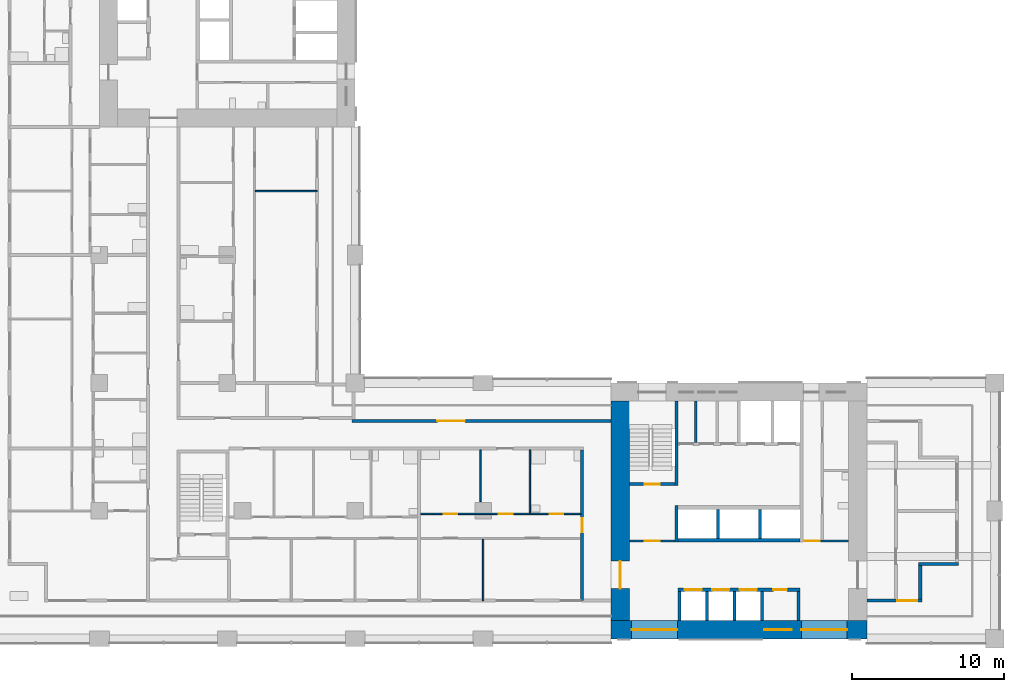
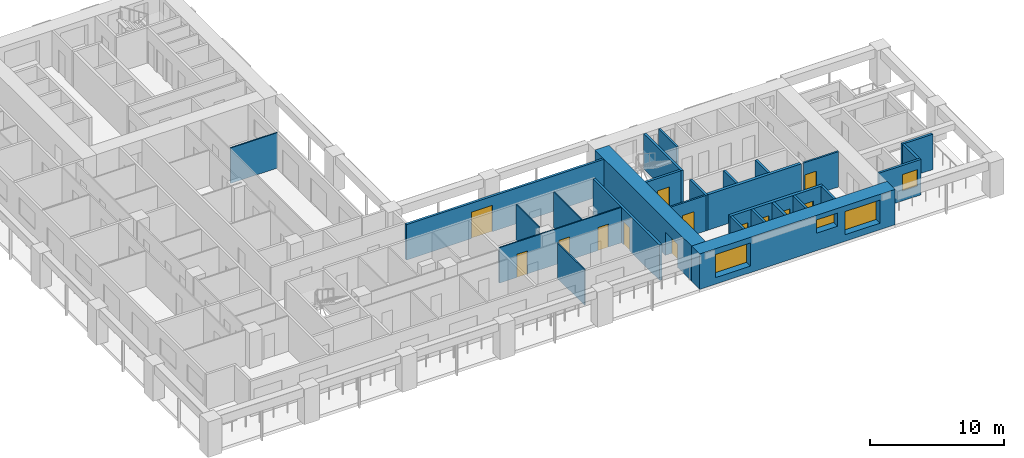
# One storey, part 5 of 17: 27 walls, 13 doors, 4 windows, 17 openings.
"""IFC4 building model written with IfcOpenShell, lengths in metres."""

from ifc_helpers import new_model, si_unit, direction, frame, frame_2d, origin, place, context, subcontext, project, spatial, rectangle, extrude, material, layer, layer_set, type_object, element, fill, save


model = new_model("IFC4")

# Units and contexts
model_context = context("Model", 3, precision=1e-05, world=origin(), true_north=direction((0.0, 1.0)))
body_context = subcontext(model_context, "Body", "Model", "MODEL_VIEW")
ifc_project = project(units=[si_unit("LENGTHUNIT", "METRE"), si_unit("AREAUNIT", "SQUARE_METRE"), si_unit("VOLUMEUNIT", "CUBIC_METRE"), si_unit("PLANEANGLEUNIT", "RADIAN"), si_unit("MASSUNIT", "GRAM", prefix="KILO")], contexts=[model_context])

# Site, building, storey
site_placement = place(None, origin())
site = spatial("IfcSite", under=ifc_project, at=site_placement, CompositionType="ELEMENT")
building_placement = place(site_placement, origin())
building = spatial("IfcBuilding", under=site, at=building_placement, Name="Vermilion Gate Residences", CompositionType="ELEMENT")
storey_placement = place(building_placement, frame((0.0, 0.0, 112.699951171875)))
storey = spatial("IfcBuildingStorey", under=building, at=storey_placement, Name="L28", CompositionType="ELEMENT", Elevation=112.699951171875)

# Wall
ifc_material_1 = material(Name="Masonry blockwork", Category="masonry")
ifc_layer_1 = layer(ifc_material_1, 0.14990234375)
ifc_layer_set_1 = layer_set([ifc_layer_1], Name="BLOCKWORK PARTITION 150 EI 120")
wall_type_1 = type_object("IfcWallType", Name="BLOCKWORK PARTITION 150 EI 120", PredefinedType="PARTITIONING", material=ifc_layer_set_1)
wall_1_placement = place(storey_placement, frame((47.554931640625, 21.300048828125, 0.0), z_axis=(0.0, 0.0, 1.0), x_axis=(0.0, 1.0, 0.0)))
element("IfcWall", 1, at=wall_1_placement, inside=storey, type_object=wall_type_1, Name="Core room partition A28-NR-P0", PredefinedType="PARTITIONING", context=body_context, shape_type="SweptSolid", body=[
    extrude(rectangle(XDim=2.699951171875, YDim=0.14990234375, at=frame_2d((1.35009765625, 0.0))), origin(), (0.0, 0.0, 1.0), 3.219970703125),
])

# Wall, opening, door
wall_2_placement = place(storey_placement, frame((43.199951171875, 14.824951171875, 0.0), z_axis=(0.0, 0.0, 1.0), x_axis=(1.0, 0.0, 0.0)))
wall_2 = element("IfcWall", 2, at=wall_2_placement, inside=storey, type_object=wall_type_1, Name="Core room partition A28-VW-S", PredefinedType="PARTITIONING", context=body_context, shape_type="SweptSolid", body=[
    extrude(rectangle(XDim=3.0, YDim=0.14990234375, at=frame_2d((1.5, 0.0))), origin(), (0.0, 0.0, 1.0), 3.219970703125),
])
opening_1_placement = place(wall_2_placement, frame((1.0, 0.0, 0.0)))
opening_1 = element("IfcOpeningElement", 3, at=opening_1_placement, cuts=wall_2, Name="Opening DK28012", PredefinedType="OPENING", context=body_context, shape_type="SweptSolid", body=[
    extrude(rectangle(XDim=1.0, YDim=2.10009765625, at=frame_2d((0.5, 1.050048828125))), frame((0.0, 0.0849609375, 0.0), z_axis=(0.0, -1.0, 0.0), x_axis=(1.0, 0.0, 0.0)), (0.0, 0.0, 1.0), 0.169921875),
])
ifc_material_2 = material(Name="Steel", Category="steel")
door_type_1 = type_object("IfcDoorType", Name="FIRE DOOR FD60 1000 X 2100", OperationType="SINGLE_SWING_LEFT", PredefinedType="DOOR", material=ifc_material_2)
door_1_placement = place(opening_1_placement, frame((1.0, 0.0, 0.0), z_axis=(0.0, 0.0, 1.0), x_axis=(-1.0, 0.0, 0.0)))
door_1 = element("IfcDoor", 4, at=door_1_placement, inside=storey, type_object=door_type_1, Name="Stair vestibule door A28", OperationType="SINGLE_SWING_RIGHT", OverallHeight=2.10009765625, OverallWidth=1.0, PredefinedType="DOOR", context=body_context, shape_type="SweptSolid", body=[
    extrude(rectangle(XDim=1.0, YDim=2.10009765625, at=frame_2d((0.5, 1.050048828125))), frame((0.0, 0.02490234375, 0.0), z_axis=(0.0, -1.0, 0.0), x_axis=(1.0, 0.0, 0.0)), (0.0, 0.0, 1.0), 0.050048828125),
])
fill(opening_1, door_1)

wall_3_placement = place(storey_placement, frame((54.60009765625, 14.824951171875, 0.0), z_axis=(0.0, 0.0, 1.0), x_axis=(1.0, 0.0, 0.0)))
wall_3 = element("IfcWall", 5, at=wall_3_placement, inside=storey, type_object=wall_type_1, Name="Core room partition A28-ES-S", PredefinedType="PARTITIONING", context=body_context, shape_type="SweptSolid", body=[
    extrude(rectangle(XDim=3.0, YDim=0.14990234375, at=frame_2d((1.5, 0.0))), origin(), (0.0, 0.0, 1.0), 3.219970703125),
])
opening_2_placement = place(wall_3_placement, frame((0.10009765625, 0.0, 0.0)))
opening_2 = element("IfcOpeningElement", 6, at=opening_2_placement, cuts=wall_3, Name="Opening DK28014", PredefinedType="OPENING", context=body_context, shape_type="SweptSolid", body=[
    extrude(rectangle(XDim=1.0, YDim=2.10009765625, at=frame_2d((0.5, 1.050048828125))), frame((0.0, 0.0849609375, 0.0), z_axis=(0.0, -1.0, 0.0), x_axis=(1.0, 0.0, 0.0)), (0.0, 0.0, 1.0), 0.169921875),
])
door_2_placement = place(opening_2_placement, frame((1.0, 0.0, 0.0), z_axis=(0.0, 0.0, 1.0), x_axis=(-1.0, 0.0, 0.0)))
door_2 = element("IfcDoor", 7, at=door_2_placement, inside=storey, type_object=door_type_1, Name="Service corridor door A28", OperationType="SINGLE_SWING_LEFT", OverallHeight=2.10009765625, OverallWidth=1.0, PredefinedType="DOOR", context=body_context, shape_type="SweptSolid", body=[
    extrude(rectangle(XDim=1.0, YDim=2.10009765625, at=frame_2d((0.5, 1.050048828125))), frame((0.0, 0.02490234375, 0.0), z_axis=(0.0, -1.0, 0.0), x_axis=(1.0, 0.0, 0.0)), (0.0, 0.0, 1.0), 0.050048828125),
])
fill(opening_2, door_2)

# Wall, opening, window
ifc_material_3 = material(Name="Insulated steel stud wall with terracotta rainscreen", Category="masonry")
ifc_layer_2 = layer(ifc_material_3, 0.199951171875)
ifc_layer_set_2 = layer_set([ifc_layer_2], Name="EXTERNAL WALL 200 TERRACOTTA RAINSCREEN")
wall_type_2 = type_object("IfcWallType", Name="EXTERNAL WALL 200 TERRACOTTA RAINSCREEN", PredefinedType="SOLIDWALL", material=ifc_layer_set_2)
wall_4_placement = place(storey_placement, frame((58.800048828125, 10.89990234375, 0.0), z_axis=(0.0, 0.0, 1.0), x_axis=(1.0, 0.0, 0.0)))
wall_4 = element("IfcWall", 8, at=wall_4_placement, inside=storey, type_object=wall_type_2, Name="External wall", PredefinedType="SOLIDWALL", context=body_context, shape_type="SweptSolid", body=[
    extrude(rectangle(XDim=3.599853515625, YDim=0.199951171875, at=frame_2d((1.7998046875, 0.0))), origin(), (0.0, 0.0, 1.0), 3.219970703125),
])
opening_3_placement = place(wall_4_placement, frame((2.0, 0.0, 0.89990234375)))
opening_3 = element("IfcOpeningElement", 9, at=opening_3_placement, cuts=wall_4, Name="Opening WE28020", PredefinedType="OPENING", context=body_context, shape_type="SweptSolid", body=[
    extrude(rectangle(XDim=1.300048828125, YDim=1.5, at=frame_2d((0.64990234375, 0.75))), frame((0.0, 0.10986328125, 0.0), z_axis=(0.0, -1.0, 0.0), x_axis=(1.0, 0.0, 0.0)), (0.0, 0.0, 1.0), 0.219970703125),
])
ifc_material_4 = material(Name="Aluminium and clear glass", Category="aluminium")
window_type_1 = type_object("IfcWindowType", Name="WINDOW 1300 X 1500", PartitioningType="SINGLE_PANEL", PredefinedType="WINDOW", material=ifc_material_4)
window_1_placement = place(opening_3_placement, origin())
window_1 = element("IfcWindow", 10, at=window_1_placement, inside=storey, type_object=window_type_1, Name="Window", OverallHeight=1.5, OverallWidth=1.300048828125, PartitioningType="SINGLE_PANEL", PredefinedType="WINDOW", context=body_context, shape_type="SweptSolid", body=[
    extrude(rectangle(XDim=1.300048828125, YDim=1.5, at=frame_2d((0.64990234375, 0.75))), frame((0.0, 0.030029296875, 0.0), z_axis=(0.0, -1.0, 0.0), x_axis=(1.0, 0.0, 0.0)), (0.0, 0.0, 1.0), 0.06005859375),
])
fill(opening_3, window_1)

# Walls
wall_5_placement = place(storey_placement, frame((62.300048828125, 11.0, 0.0), z_axis=(0.0, 0.0, 1.0), x_axis=(0.0, 1.0, 0.0)))
element("IfcWall", 11, at=wall_5_placement, inside=storey, type_object=wall_type_2, Name="External wall", PredefinedType="SOLIDWALL", context=body_context, shape_type="SweptSolid", body=[
    extrude(rectangle(XDim=2.199951171875, YDim=0.199951171875, at=frame_2d((1.10009765625, 0.0))), origin(), (0.0, 0.0, 1.0), 3.219970703125),
])
wall_6_placement = place(storey_placement, frame((62.199951171875, 13.300048828125, 0.0), z_axis=(0.0, 0.0, 1.0), x_axis=(1.0, 0.0, 0.0)))
element("IfcWall", 12, at=wall_6_placement, inside=storey, type_object=wall_type_2, Name="External wall", PredefinedType="SOLIDWALL", context=body_context, shape_type="SweptSolid", body=[
    extrude(rectangle(XDim=2.60009765625, YDim=0.199951171875, at=frame_2d((1.300048828125, 0.0))), origin(), (0.0, 0.0, 1.0), 3.219970703125),
])

# Wall, opening, door
wall_7_placement = place(storey_placement, frame((42.0, 22.699951171875, 0.0), z_axis=(0.0, 0.0, 1.0), x_axis=(-1.0, 0.0, 0.0)))
wall_7 = element("IfcWall", 13, at=wall_7_placement, inside=storey, type_object=wall_type_2, Name="External wall", PredefinedType="SOLIDWALL", context=body_context, shape_type="SweptSolid", body=[
    extrude(rectangle(XDim=17.0, YDim=0.199951171875, at=frame_2d((8.5, 0.0))), origin(), (0.0, 0.0, 1.0), 3.219970703125),
])
opening_4_placement = place(wall_7_placement, frame((9.60009765625, 0.0, 0.0)))
opening_4 = element("IfcOpeningElement", 14, at=opening_4_placement, cuts=wall_7, Name="Opening DE28029", PredefinedType="OPENING", context=body_context, shape_type="SweptSolid", body=[
    extrude(rectangle(XDim=1.800048828125, YDim=2.39990234375, at=frame_2d((0.89990234375, 1.199951171875))), frame((0.0, 0.10986328125, 0.0), z_axis=(0.0, -1.0, 0.0), x_axis=(1.0, 0.0, 0.0)), (0.0, 0.0, 1.0), 0.219970703125),
])
ifc_material_5 = material(Name="Aluminium and clear glass", Category="aluminium")
door_type_2 = type_object("IfcDoorType", Name="GLAZED EXTERNAL DOOR 1800 X 2400", OperationType="DOUBLE_DOOR_SINGLE_SWING", PredefinedType="DOOR", material=ifc_material_5)
door_3_placement = place(opening_4_placement, frame((1.800048828125, 0.0, 0.0), z_axis=(0.0, 0.0, 1.0), x_axis=(-1.0, 0.0, 0.0)))
door_3 = element("IfcDoor", 15, at=door_3_placement, inside=storey, type_object=door_type_2, Name="Gallery door", OperationType="DOUBLE_DOOR_SINGLE_SWING", OverallHeight=2.39990234375, OverallWidth=1.800048828125, PredefinedType="DOOR", context=body_context, shape_type="SweptSolid", body=[
    extrude(rectangle(XDim=1.800048828125, YDim=2.39990234375, at=frame_2d((0.89990234375, 1.199951171875))), frame((0.0, 0.02490234375, 0.0), z_axis=(0.0, -1.0, 0.0), x_axis=(1.0, 0.0, 0.0)), (0.0, 0.0, 1.0), 0.050048828125),
])
fill(opening_4, door_3)

# Wall, openings, doors
ifc_material_6 = material(Name="Plasterboard on steel studs", Category="steel")
ifc_layer_3 = layer(ifc_material_6, 0.10009765625)
ifc_layer_set_3 = layer_set([ifc_layer_3], Name="PARTITION 100")
wall_type_3 = type_object("IfcWallType", Name="PARTITION 100", PredefinedType="PARTITIONING", material=ifc_layer_set_3)
wall_8_placement = place(storey_placement, frame((29.5, 16.60009765625, 0.0), z_axis=(0.0, 0.0, 1.0), x_axis=(1.0, 0.0, 0.0)))
wall_8 = element("IfcWall", 16, at=wall_8_placement, inside=storey, type_object=wall_type_3, Name="Partition", PredefinedType="PARTITIONING", context=body_context, shape_type="SweptSolid", body=[
    extrude(rectangle(XDim=10.5, YDim=0.10009765625, at=frame_2d((5.25, 0.0))), origin(), (0.0, 0.0, 1.0), 3.219970703125),
])
opening_5_placement = place(wall_8_placement, frame((5.133056640625, 0.0, 0.0)))
opening_5 = element("IfcOpeningElement", 17, at=opening_5_placement, cuts=wall_8, Name="Opening DA28011", PredefinedType="OPENING", context=body_context, shape_type="SweptSolid", body=[
    extrude(rectangle(XDim=0.89990234375, YDim=2.10009765625, at=frame_2d((0.449951171875, 1.050048828125))), frame((0.0, 0.06005859375, 0.0), z_axis=(0.0, -1.0, 0.0), x_axis=(1.0, 0.0, 0.0)), (0.0, 0.0, 1.0), 0.1201171875),
])
opening_6_placement = place(wall_8_placement, frame((1.5, 0.0, 0.0)))
opening_6 = element("IfcOpeningElement", 18, at=opening_6_placement, cuts=wall_8, Name="Opening DA28012", PredefinedType="OPENING", context=body_context, shape_type="SweptSolid", body=[
    extrude(rectangle(XDim=0.89990234375, YDim=2.10009765625, at=frame_2d((0.449951171875, 1.050048828125))), frame((0.0, 0.06005859375, 0.0), z_axis=(0.0, -1.0, 0.0), x_axis=(1.0, 0.0, 0.0)), (0.0, 0.0, 1.0), 0.1201171875),
])
opening_7_placement = place(wall_8_placement, frame((8.467041015625, 0.0, 0.0)))
opening_7 = element("IfcOpeningElement", 19, at=opening_7_placement, cuts=wall_8, Name="Opening DA28013", PredefinedType="OPENING", context=body_context, shape_type="SweptSolid", body=[
    extrude(rectangle(XDim=0.89990234375, YDim=2.10009765625, at=frame_2d((0.449951171875, 1.050048828125))), frame((0.0, 0.06005859375, 0.0), z_axis=(0.0, -1.0, 0.0), x_axis=(1.0, 0.0, 0.0)), (0.0, 0.0, 1.0), 0.1201171875),
])
ifc_material_7 = material(Name="Timber", Category="wood")
door_type_3 = type_object("IfcDoorType", Name="INTERIOR DOOR 900 X 2100", OperationType="SINGLE_SWING_LEFT", PredefinedType="DOOR", material=ifc_material_7)
door_4_placement = place(opening_5_placement, origin())
door_4 = element("IfcDoor", 20, at=door_4_placement, inside=storey, type_object=door_type_3, Name="Interior door", OperationType="SINGLE_SWING_LEFT", OverallHeight=2.10009765625, OverallWidth=0.89990234375, PredefinedType="DOOR", context=body_context, shape_type="SweptSolid", body=[
    extrude(rectangle(XDim=0.89990234375, YDim=2.10009765625, at=frame_2d((0.449951171875, 1.050048828125))), frame((0.0, 0.02490234375, 0.0), z_axis=(0.0, -1.0, 0.0), x_axis=(1.0, 0.0, 0.0)), (0.0, 0.0, 1.0), 0.050048828125),
])
fill(opening_5, door_4)
door_5_placement = place(opening_6_placement, origin())
door_5 = element("IfcDoor", 21, at=door_5_placement, inside=storey, type_object=door_type_3, Name="Interior door", OperationType="SINGLE_SWING_RIGHT", OverallHeight=2.10009765625, OverallWidth=0.89990234375, PredefinedType="DOOR", context=body_context, shape_type="SweptSolid", body=[
    extrude(rectangle(XDim=0.89990234375, YDim=2.10009765625, at=frame_2d((0.449951171875, 1.050048828125))), frame((0.0, 0.02490234375, 0.0), z_axis=(0.0, -1.0, 0.0), x_axis=(1.0, 0.0, 0.0)), (0.0, 0.0, 1.0), 0.050048828125),
])
fill(opening_6, door_5)
door_6_placement = place(opening_7_placement, origin())
door_6 = element("IfcDoor", 22, at=door_6_placement, inside=storey, type_object=door_type_3, Name="Interior door", OperationType="SINGLE_SWING_LEFT", OverallHeight=2.10009765625, OverallWidth=0.89990234375, PredefinedType="DOOR", context=body_context, shape_type="SweptSolid", body=[
    extrude(rectangle(XDim=0.89990234375, YDim=2.10009765625, at=frame_2d((0.449951171875, 1.050048828125))), frame((0.0, 0.02490234375, 0.0), z_axis=(0.0, -1.0, 0.0), x_axis=(1.0, 0.0, 0.0)), (0.0, 0.0, 1.0), 0.050048828125),
])
fill(opening_7, door_6)

# Walls
wall_9_placement = place(storey_placement, frame((18.64990234375, 37.800048828125, 0.0), z_axis=(0.0, 0.0, 1.0), x_axis=(1.0, 0.0, 0.0)))
element("IfcWall", 23, at=wall_9_placement, inside=storey, type_object=wall_type_3, Name="Partition", PredefinedType="PARTITIONING", context=body_context, shape_type="SweptSolid", body=[
    extrude(rectangle(XDim=4.050048828125, YDim=0.10009765625, at=frame_2d((2.02490234375, 0.0))), origin(), (0.0, 0.0, 1.0), 3.219970703125),
])
wall_10_placement = place(storey_placement, frame((33.43310546875, 17.39990234375, 0.0), z_axis=(0.0, 0.0, 1.0), x_axis=(0.0, 1.0, 0.0)))
element("IfcWall", 24, at=wall_10_placement, inside=storey, type_object=wall_type_3, Name="Partition", PredefinedType="PARTITIONING", context=body_context, shape_type="SweptSolid", body=[
    extrude(rectangle(XDim=3.400146484375, YDim=0.10009765625, at=frame_2d((1.7001953125, 0.0))), origin(), (0.0, 0.0, 1.0), 3.219970703125),
])
wall_11_placement = place(storey_placement, frame((33.60009765625, 10.89990234375, 0.0), z_axis=(0.0, 0.0, 1.0), x_axis=(0.0, 1.0, 0.0)))
element("IfcWall", 25, at=wall_11_placement, inside=storey, type_object=wall_type_3, Name="Partition", PredefinedType="PARTITIONING", context=body_context, shape_type="SweptSolid", body=[
    extrude(rectangle(XDim=4.050048828125, YDim=0.10009765625, at=frame_2d((2.02490234375, 0.0))), origin(), (0.0, 0.0, 1.0), 3.219970703125),
])
wall_12_placement = place(storey_placement, frame((36.6669921875, 16.64990234375, 0.0), z_axis=(0.0, 0.0, 1.0), x_axis=(0.0, 1.0, 0.0)))
element("IfcWall", 26, at=wall_12_placement, inside=storey, type_object=wall_type_3, Name="Partition", PredefinedType="PARTITIONING", context=body_context, shape_type="SweptSolid", body=[
    extrude(rectangle(XDim=4.150146484375, YDim=0.10009765625, at=frame_2d((2.0751953125, 0.0))), origin(), (0.0, 0.0, 1.0), 3.219970703125),
])

# Wall, opening, door
ifc_material_8 = material(Name="Fire-rated plasterboard on steel studs", Category="steel")
ifc_layer_4 = layer(ifc_material_8, 0.199951171875)
ifc_layer_set_4 = layer_set([ifc_layer_4], Name="PARTY WALL 200 EI 120")
wall_type_4 = type_object("IfcWallType", Name="PARTY WALL 200 EI 120", PredefinedType="PARTITIONING", material=ifc_layer_set_4)
wall_13_placement = place(storey_placement, frame((40.10009765625, 10.89990234375, 0.0), z_axis=(0.0, 0.0, 1.0), x_axis=(0.0, 1.0, 0.0)))
wall_13 = element("IfcWall", 27, at=wall_13_placement, inside=storey, type_object=wall_type_4, Name="Party and corridor wall", PredefinedType="PARTITIONING", context=body_context, shape_type="SweptSolid", body=[
    extrude(rectangle(XDim=9.900146484375, YDim=0.199951171875, at=frame_2d((4.9501953125, 0.0))), origin(), (0.0, 0.0, 1.0), 3.219970703125),
])
opening_8_placement = place(wall_13_placement, frame((4.5, 0.0, 0.0)))
opening_8 = element("IfcOpeningElement", 28, at=opening_8_placement, cuts=wall_13, Name="Opening DA28048", PredefinedType="OPENING", context=body_context, shape_type="SweptSolid", body=[
    extrude(rectangle(XDim=0.89990234375, YDim=2.10009765625, at=frame_2d((0.449951171875, 1.050048828125))), frame((0.0, 0.10986328125, 0.0), z_axis=(0.0, -1.0, 0.0), x_axis=(1.0, 0.0, 0.0)), (0.0, 0.0, 1.0), 0.219970703125),
])
door_7_placement = place(opening_8_placement, origin())
door_7 = element("IfcDoor", 29, at=door_7_placement, inside=storey, type_object=door_type_3, Name="Interior door", OperationType="SINGLE_SWING_RIGHT", OverallHeight=2.10009765625, OverallWidth=0.89990234375, PredefinedType="DOOR", context=body_context, shape_type="SweptSolid", body=[
    extrude(rectangle(XDim=0.89990234375, YDim=2.10009765625, at=frame_2d((0.449951171875, 1.050048828125))), frame((0.0, 0.02490234375, 0.0), z_axis=(0.0, -1.0, 0.0), x_axis=(1.0, 0.0, 0.0)), (0.0, 0.0, 1.0), 0.050048828125),
])
fill(opening_8, door_7)

# Walls
ifc_material_9 = material(Name="Concrete C60", Category="concrete")
ifc_layer_5 = layer(ifc_material_9, 0.199951171875)
ifc_layer_set_5 = layer_set([ifc_layer_5], Name="RC CORE INTERNAL WALL 200 C60")
wall_type_5 = type_object("IfcWallType", Name="RC CORE INTERNAL WALL 200 C60", PredefinedType="SHEAR", material=ifc_layer_set_5)
for number, where, z_axis, x_axis, name in (
    (30, (46.5, 9.60009765625, 0.0), (0.0, 0.0, 1.0), (0.0, 1.0, 0.0), "Core internal wall A28-LR-D0"),
    (31, (48.300048828125, 9.60009765625, 0.0), (0.0, 0.0, 1.0), (0.0, 1.0, 0.0), "Core internal wall A28-LR-D1"),
    (32, (50.10009765625, 9.60009765625, 0.0), (0.0, 0.0, 1.0), (0.0, 1.0, 0.0), "Core internal wall A28-LR-D2"),
    (33, (51.89990234375, 9.60009765625, 0.0), (0.0, 0.0, 1.0), (0.0, 1.0, 0.0), "Core internal wall A28-LR-D3"),
    (34, (54.300048828125, 9.60009765625, 0.0), (0.0, 0.0, 1.0), (0.0, 1.0, 0.0), "Core internal wall A28-LR-DE"),
    (35, (49.033447265625, 15.0, 0.0), (0.0, 0.0, 1.0), (0.0, 1.0, 0.0), "Core internal wall A28-HR-D1"),
    (36, (51.7666015625, 15.0, 0.0), (0.0, 0.0, 1.0), (0.0, 1.0, 0.0), "Core internal wall A28-HR-D2"),
):
    element("IfcWall", number, at=place(storey_placement, frame(where, z_axis=z_axis, x_axis=x_axis)), inside=storey, type_object=wall_type_5, Name=name, PredefinedType="SHEAR", context=body_context, shape_type="SweptSolid", body=[
        extrude(rectangle(XDim=1.89990234375, YDim=0.199951171875, at=frame_2d((0.949951171875, 0.0))), origin(), (0.0, 0.0, 1.0), 3.219970703125),
    ])
wall_14_placement = place(storey_placement, frame((46.300048828125, 14.75, 0.0), z_axis=(0.0, 0.0, 1.0), x_axis=(0.0, 1.0, 0.0)))
element("IfcWall", 37, at=wall_14_placement, inside=storey, type_object=wall_type_5, Name="Core internal wall A28-WDIV1", PredefinedType="SHEAR", context=body_context, shape_type="SweptSolid", body=[
    extrude(rectangle(XDim=2.39990234375, YDim=0.199951171875, at=frame_2d((1.199951171875, 0.0))), origin(), (0.0, 0.0, 1.0), 3.219970703125),
])
wall_15_placement = place(storey_placement, frame((46.300048828125, 18.449951171875, 0.0), z_axis=(0.0, 0.0, 1.0), x_axis=(0.0, 1.0, 0.0)))
element("IfcWall", 38, at=wall_15_placement, inside=storey, type_object=wall_type_5, Name="Core internal wall A28-WDIV2", PredefinedType="SHEAR", context=body_context, shape_type="SweptSolid", body=[
    extrude(rectangle(XDim=5.550048828125, YDim=0.199951171875, at=frame_2d((2.77490234375, 0.0))), origin(), (0.0, 0.0, 1.0), 3.219970703125),
])

# Wall, opening, door
wall_16_placement = place(storey_placement, frame((43.199951171875, 18.550048828125, 0.0), z_axis=(0.0, 0.0, 1.0), x_axis=(1.0, 0.0, 0.0)))
wall_16 = element("IfcWall", 39, at=wall_16_placement, inside=storey, type_object=wall_type_5, Name="Core internal wall A28-STW-S", PredefinedType="SHEAR", context=body_context, shape_type="SweptSolid", body=[
    extrude(rectangle(XDim=3.0, YDim=0.199951171875, at=frame_2d((1.5, 0.0))), origin(), (0.0, 0.0, 1.0), 3.219970703125),
])
opening_9_placement = place(wall_16_placement, frame((1.0, 0.0, 0.0)))
opening_9 = element("IfcOpeningElement", 40, at=opening_9_placement, cuts=wall_16, Name="Opening DK28013", PredefinedType="OPENING", context=body_context, shape_type="SweptSolid", body=[
    extrude(rectangle(XDim=1.0, YDim=2.10009765625, at=frame_2d((0.5, 1.050048828125))), frame((0.0, 0.10986328125, 0.0), z_axis=(0.0, -1.0, 0.0), x_axis=(1.0, 0.0, 0.0)), (0.0, 0.0, 1.0), 0.219970703125),
])
door_8_placement = place(opening_9_placement, origin())
door_8 = element("IfcDoor", 41, at=door_8_placement, inside=storey, type_object=door_type_1, Name="Stair door A28", OperationType="SINGLE_SWING_LEFT", OverallHeight=2.10009765625, OverallWidth=1.0, PredefinedType="DOOR", context=body_context, shape_type="SweptSolid", body=[
    extrude(rectangle(XDim=1.0, YDim=2.10009765625, at=frame_2d((0.5, 1.050048828125))), frame((0.0, 0.02490234375, 0.0), z_axis=(0.0, -1.0, 0.0), x_axis=(1.0, 0.0, 0.0)), (0.0, 0.0, 1.0), 0.050048828125),
])
fill(opening_9, door_8)

ifc_material_10 = material(Name="Concrete C70", Category="concrete")
ifc_layer_6 = layer(ifc_material_10, 1.199951171875)
ifc_layer_set_6 = layer_set([ifc_layer_6], Name="RC CORE WALL 1200 C70")
wall_type_6 = type_object("IfcWallType", Name="RC CORE WALL 1200 C70", PredefinedType="SHEAR", material=ifc_layer_set_6)
wall_17_placement = place(storey_placement, frame((42.60009765625, 9.60009765625, 0.0), z_axis=(0.0, 0.0, 1.0), x_axis=(0.0, 1.0, 0.0)))
wall_17 = element("IfcWall", 42, at=wall_17_placement, inside=storey, type_object=wall_type_6, Name="Core wall A28-OUT-FR", PredefinedType="SHEAR", context=body_context, shape_type="SweptSolid", body=[
    extrude(rectangle(XDim=14.39990234375, YDim=1.199951171875, at=frame_2d((7.199951171875, 0.0))), origin(), (0.0, 0.0, 1.0), 3.219970703125),
])
opening_10_placement = place(wall_17_placement, frame((2.10009765625, 0.0, 0.0)))
opening_10 = element("IfcOpeningElement", 43, at=opening_10_placement, cuts=wall_17, Name="Opening DK28001", PredefinedType="OPENING", context=body_context, shape_type="SweptSolid", body=[
    extrude(rectangle(XDim=1.800048828125, YDim=2.10009765625, at=frame_2d((0.89990234375, 1.050048828125))), frame((0.0, 0.60986328125, 0.0), z_axis=(0.0, -1.0, 0.0), x_axis=(1.0, 0.0, 0.0)), (0.0, 0.0, 1.0), 1.219970703125),
])
ifc_material_11 = material(Name="Steel", Category="steel")
door_type_4 = type_object("IfcDoorType", Name="CORE LOBBY DOOR FD60 1800 X 2100", OperationType="DOUBLE_DOOR_SINGLE_SWING", PredefinedType="DOOR", material=ifc_material_11)
door_9_placement = place(opening_10_placement, frame((1.800048828125, 0.0, 0.0), z_axis=(0.0, 0.0, 1.0), x_axis=(-1.0, 0.0, 0.0)))
door_9 = element("IfcDoor", 44, at=door_9_placement, inside=storey, type_object=door_type_4, Name="Core lobby door A28", OperationType="DOUBLE_DOOR_SINGLE_SWING", OverallHeight=2.10009765625, OverallWidth=1.800048828125, PredefinedType="DOOR", context=body_context, shape_type="SweptSolid", body=[
    extrude(rectangle(XDim=1.800048828125, YDim=2.10009765625, at=frame_2d((0.89990234375, 1.050048828125))), frame((0.0, 0.02490234375, 0.0), z_axis=(0.0, -1.0, 0.0), x_axis=(1.0, 0.0, 0.0)), (0.0, 0.0, 1.0), 0.050048828125),
])
fill(opening_10, door_9)

# Wall, openings, windows
ifc_material_12 = material(Name="Concrete C70 red-oxide pigmented", Category="concrete")
ifc_layer_7 = layer(ifc_material_12, 1.199951171875)
ifc_layer_set_7 = layer_set([ifc_layer_7], Name="RC CORE WALL 1200 C70 RED OXIDE")
wall_type_7 = type_object("IfcWallType", Name="RC CORE WALL 1200 C70 RED OXIDE", PredefinedType="SHEAR", material=ifc_layer_set_7)
wall_18_placement = place(storey_placement, frame((42.0, 9.0, 0.0), z_axis=(0.0, 0.0, 1.0), x_axis=(1.0, 0.0, 0.0)))
wall_18 = element("IfcWall", 45, at=wall_18_placement, inside=storey, type_object=wall_type_7, Name="Core wall A28-OUT-B0", PredefinedType="SHEAR", context=body_context, shape_type="SweptSolid", body=[
    extrude(rectangle(XDim=16.800048828125, YDim=1.199951171875, at=frame_2d((8.39990234375, 0.0))), origin(), (0.0, 0.0, 1.0), 3.219970703125),
])
opening_11_placement = place(wall_18_placement, frame((1.35009765625, 0.0, 0.60009765625)))
opening_11 = element("IfcOpeningElement", 46, at=opening_11_placement, cuts=wall_18, Name="Opening WKA2801", PredefinedType="OPENING", context=body_context, shape_type="SweptSolid", body=[
    extrude(rectangle(XDim=3.0, YDim=2.10009765625, at=frame_2d((1.5, 1.050048828125))), frame((0.0, 0.60986328125, 0.0), z_axis=(0.0, -1.0, 0.0), x_axis=(1.0, 0.0, 0.0)), (0.0, 0.0, 1.0), 1.219970703125),
])
opening_12_placement = place(wall_18_placement, frame((10.050048828125, 0.0, 1.60009765625)))
opening_12 = element("IfcOpeningElement", 47, at=opening_12_placement, cuts=wall_18, Name="Opening WKA2802", PredefinedType="OPENING", context=body_context, shape_type="SweptSolid", body=[
    extrude(rectangle(XDim=1.800048828125, YDim=1.199951171875, at=frame_2d((0.89990234375, 0.60009765625))), frame((0.0, 0.60986328125, 0.0), z_axis=(0.0, -1.0, 0.0), x_axis=(1.0, 0.0, 0.0)), (0.0, 0.0, 1.0), 1.219970703125),
])
opening_13_placement = place(wall_18_placement, frame((12.5, 0.0, 0.60009765625)))
opening_13 = element("IfcOpeningElement", 48, at=opening_13_placement, cuts=wall_18, Name="Opening WKA2803", PredefinedType="OPENING", context=body_context, shape_type="SweptSolid", body=[
    extrude(rectangle(XDim=3.0, YDim=2.10009765625, at=frame_2d((1.5, 1.050048828125))), frame((0.0, 0.60986328125, 0.0), z_axis=(0.0, -1.0, 0.0), x_axis=(1.0, 0.0, 0.0)), (0.0, 0.0, 1.0), 1.219970703125),
])
ifc_material_13 = material(Name="Aluminium and clear glass", Category="aluminium")
window_type_2 = type_object("IfcWindowType", Name="CORE LOBBY WINDOW 3000 X 2100", PartitioningType="SINGLE_PANEL", PredefinedType="WINDOW", material=ifc_material_13)
window_2_placement = place(opening_11_placement, origin())
window_2 = element("IfcWindow", 49, at=window_2_placement, inside=storey, type_object=window_type_2, Name="Core lobby window", OverallHeight=2.10009765625, OverallWidth=3.0, PartitioningType="SINGLE_PANEL", PredefinedType="WINDOW", context=body_context, shape_type="SweptSolid", body=[
    extrude(rectangle(XDim=3.0, YDim=2.10009765625, at=frame_2d((1.5, 1.050048828125))), frame((0.0, 0.030029296875, 0.0), z_axis=(0.0, -1.0, 0.0), x_axis=(1.0, 0.0, 0.0)), (0.0, 0.0, 1.0), 0.06005859375),
])
fill(opening_11, window_2)
window_3_placement = place(opening_13_placement, origin())
window_3 = element("IfcWindow", 50, at=window_3_placement, inside=storey, type_object=window_type_2, Name="Core lobby window", OverallHeight=2.10009765625, OverallWidth=3.0, PartitioningType="SINGLE_PANEL", PredefinedType="WINDOW", context=body_context, shape_type="SweptSolid", body=[
    extrude(rectangle(XDim=3.0, YDim=2.10009765625, at=frame_2d((1.5, 1.050048828125))), frame((0.0, 0.030029296875, 0.0), z_axis=(0.0, -1.0, 0.0), x_axis=(1.0, 0.0, 0.0)), (0.0, 0.0, 1.0), 0.06005859375),
])
fill(opening_13, window_3)
ifc_material_14 = material(Name="Aluminium frame with louvre blades", Category="aluminium")
window_type_3 = type_object("IfcWindowType", Name="CORE LOUVRE 1800 X 1200", PartitioningType="SINGLE_PANEL", PredefinedType="WINDOW", material=ifc_material_14)
window_4_placement = place(opening_12_placement, origin())
window_4 = element("IfcWindow", 51, at=window_4_placement, inside=storey, type_object=window_type_3, Name="Core louvre", OverallHeight=1.199951171875, OverallWidth=1.800048828125, PartitioningType="SINGLE_PANEL", PredefinedType="WINDOW", context=body_context, shape_type="SweptSolid", body=[
    extrude(rectangle(XDim=1.800048828125, YDim=1.199951171875, at=frame_2d((0.89990234375, 0.60009765625))), frame((0.0, 0.030029296875, 0.0), z_axis=(0.0, -1.0, 0.0), x_axis=(1.0, 0.0, 0.0)), (0.0, 0.0, 1.0), 0.06005859375),
])
fill(opening_12, window_4)

# Wall, openings, doors
ifc_material_15 = material(Name="Concrete C60", Category="concrete")
ifc_layer_8 = layer(ifc_material_15, 0.25)
ifc_layer_set_8 = layer_set([ifc_layer_8], Name="RC LIFT SHAFT WALL 250 C60")
wall_type_8 = type_object("IfcWallType", Name="RC LIFT SHAFT WALL 250 C60", PredefinedType="SHEAR", material=ifc_layer_set_8)
wall_19_placement = place(storey_placement, frame((46.39990234375, 11.625, 0.0), z_axis=(0.0, 0.0, 1.0), x_axis=(1.0, 0.0, 0.0)))
wall_19 = element("IfcWall", 52, at=wall_19_placement, inside=storey, type_object=wall_type_8, Name="Lift shaft wall A28-LR-F", PredefinedType="SHEAR", context=body_context, shape_type="SweptSolid", body=[
    extrude(rectangle(XDim=8.0, YDim=0.25, at=frame_2d((4.0, 0.0))), origin(), (0.0, 0.0, 1.0), 3.219970703125),
])
opening_14_placement = place(wall_19_placement, frame((0.449951171875, 0.0, 0.0)))
opening_14 = element("IfcOpeningElement", 53, at=opening_14_placement, cuts=wall_19, Name="Opening LD", PredefinedType="OPENING", context=body_context, shape_type="SweptSolid", body=[
    extrude(rectangle(XDim=1.10009765625, YDim=2.10009765625, at=frame_2d((0.550048828125, 1.050048828125))), frame((0.0, 0.135009765625, 0.0), z_axis=(0.0, -1.0, 0.0), x_axis=(1.0, 0.0, 0.0)), (0.0, 0.0, 1.0), 0.27001953125),
])
opening_15_placement = place(wall_19_placement, frame((2.25, 0.0, 0.0)))
opening_15 = element("IfcOpeningElement", 54, at=opening_15_placement, cuts=wall_19, Name="Opening LD", PredefinedType="OPENING", context=body_context, shape_type="SweptSolid", body=[
    extrude(rectangle(XDim=1.10009765625, YDim=2.10009765625, at=frame_2d((0.550048828125, 1.050048828125))), frame((0.0, 0.135009765625, 0.0), z_axis=(0.0, -1.0, 0.0), x_axis=(1.0, 0.0, 0.0)), (0.0, 0.0, 1.0), 0.27001953125),
])
opening_16_placement = place(wall_19_placement, frame((4.050048828125, 0.0, 0.0)))
opening_16 = element("IfcOpeningElement", 55, at=opening_16_placement, cuts=wall_19, Name="Opening LD", PredefinedType="OPENING", context=body_context, shape_type="SweptSolid", body=[
    extrude(rectangle(XDim=1.10009765625, YDim=2.10009765625, at=frame_2d((0.550048828125, 1.050048828125))), frame((0.0, 0.135009765625, 0.0), z_axis=(0.0, -1.0, 0.0), x_axis=(1.0, 0.0, 0.0)), (0.0, 0.0, 1.0), 0.27001953125),
])
opening_17_placement = place(wall_19_placement, frame((6.25, 0.0, 0.0)))
opening_17 = element("IfcOpeningElement", 56, at=opening_17_placement, cuts=wall_19, Name="Opening DK28006", PredefinedType="OPENING", context=body_context, shape_type="SweptSolid", body=[
    extrude(rectangle(XDim=0.89990234375, YDim=2.10009765625, at=frame_2d((0.449951171875, 1.050048828125))), frame((0.0, 0.135009765625, 0.0), z_axis=(0.0, -1.0, 0.0), x_axis=(1.0, 0.0, 0.0)), (0.0, 0.0, 1.0), 0.27001953125),
])
ifc_material_16 = material(Name="Stainless steel", Category="steel")
door_type_5 = type_object("IfcDoorType", Name="LIFT LANDING DOOR E60 1100 X 2100", OperationType="DOUBLE_DOOR_SLIDING", PredefinedType="DOOR", material=ifc_material_16)
door_10_placement = place(opening_14_placement, origin())
door_10 = element("IfcDoor", 57, at=door_10_placement, inside=storey, type_object=door_type_5, Name="Lift landing door LRA1", OperationType="DOUBLE_DOOR_SLIDING", OverallHeight=2.10009765625, OverallWidth=1.10009765625, PredefinedType="DOOR", context=body_context, shape_type="SweptSolid", body=[
    extrude(rectangle(XDim=1.10009765625, YDim=2.10009765625, at=frame_2d((0.550048828125, 1.050048828125))), frame((0.0, 0.02490234375, 0.0), z_axis=(0.0, -1.0, 0.0), x_axis=(1.0, 0.0, 0.0)), (0.0, 0.0, 1.0), 0.050048828125),
])
fill(opening_14, door_10)
door_11_placement = place(opening_15_placement, origin())
door_11 = element("IfcDoor", 58, at=door_11_placement, inside=storey, type_object=door_type_5, Name="Lift landing door LRA2", OperationType="DOUBLE_DOOR_SLIDING", OverallHeight=2.10009765625, OverallWidth=1.10009765625, PredefinedType="DOOR", context=body_context, shape_type="SweptSolid", body=[
    extrude(rectangle(XDim=1.10009765625, YDim=2.10009765625, at=frame_2d((0.550048828125, 1.050048828125))), frame((0.0, 0.02490234375, 0.0), z_axis=(0.0, -1.0, 0.0), x_axis=(1.0, 0.0, 0.0)), (0.0, 0.0, 1.0), 0.050048828125),
])
fill(opening_15, door_11)
door_12_placement = place(opening_16_placement, origin())
door_12 = element("IfcDoor", 59, at=door_12_placement, inside=storey, type_object=door_type_5, Name="Lift landing door LRA3", OperationType="DOUBLE_DOOR_SLIDING", OverallHeight=2.10009765625, OverallWidth=1.10009765625, PredefinedType="DOOR", context=body_context, shape_type="SweptSolid", body=[
    extrude(rectangle(XDim=1.10009765625, YDim=2.10009765625, at=frame_2d((0.550048828125, 1.050048828125))), frame((0.0, 0.02490234375, 0.0), z_axis=(0.0, -1.0, 0.0), x_axis=(1.0, 0.0, 0.0)), (0.0, 0.0, 1.0), 0.050048828125),
])
fill(opening_16, door_12)
ifc_material_17 = material(Name="Steel", Category="steel")
door_type_6 = type_object("IfcDoorType", Name="SERVICE ROOM DOOR FD60 900 X 2100", OperationType="SINGLE_SWING_LEFT", PredefinedType="DOOR", material=ifc_material_17)
door_13_placement = place(opening_17_placement, frame((0.89990234375, 0.0, 0.0), z_axis=(0.0, 0.0, 1.0), x_axis=(-1.0, 0.0, 0.0)))
door_13 = element("IfcDoor", 60, at=door_13_placement, inside=storey, type_object=door_type_6, Name="Cleaner's store A28", OperationType="SINGLE_SWING_RIGHT", OverallHeight=2.10009765625, OverallWidth=0.89990234375, PredefinedType="DOOR", context=body_context, shape_type="SweptSolid", body=[
    extrude(rectangle(XDim=0.89990234375, YDim=2.10009765625, at=frame_2d((0.449951171875, 1.050048828125))), frame((0.0, 0.02490234375, 0.0), z_axis=(0.0, -1.0, 0.0), x_axis=(1.0, 0.0, 0.0)), (0.0, 0.0, 1.0), 0.050048828125),
])
fill(opening_17, door_13)

# Wall
wall_20_placement = place(storey_placement, frame((46.39990234375, 14.875, 0.0), z_axis=(0.0, 0.0, 1.0), x_axis=(1.0, 0.0, 0.0)))
element("IfcWall", 61, at=wall_20_placement, inside=storey, type_object=wall_type_8, Name="Lift shaft wall A28-HR-F", PredefinedType="SHEAR", context=body_context, shape_type="SweptSolid", body=[
    extrude(rectangle(XDim=8.0, YDim=0.25, at=frame_2d((4.0, 0.0))), origin(), (0.0, 0.0, 1.0), 3.219970703125),
])

save(model, "model.ifc")
